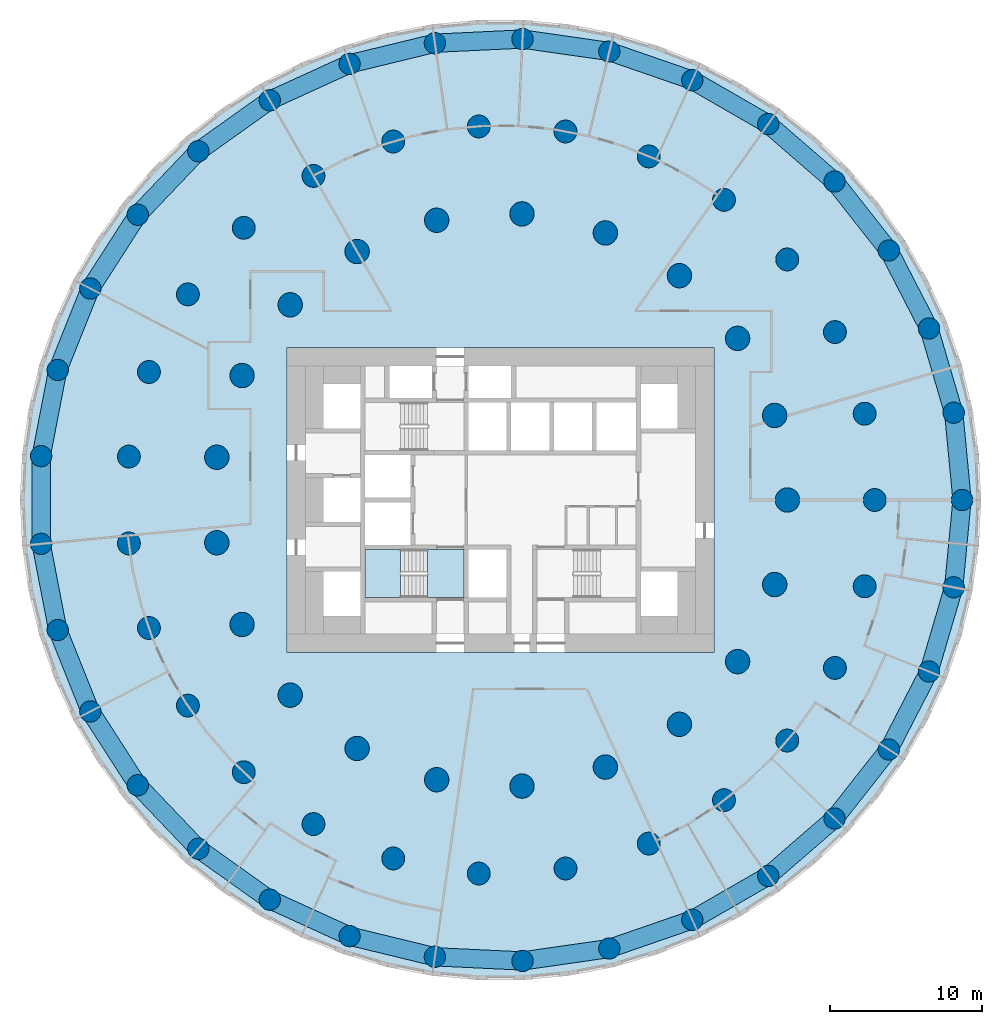
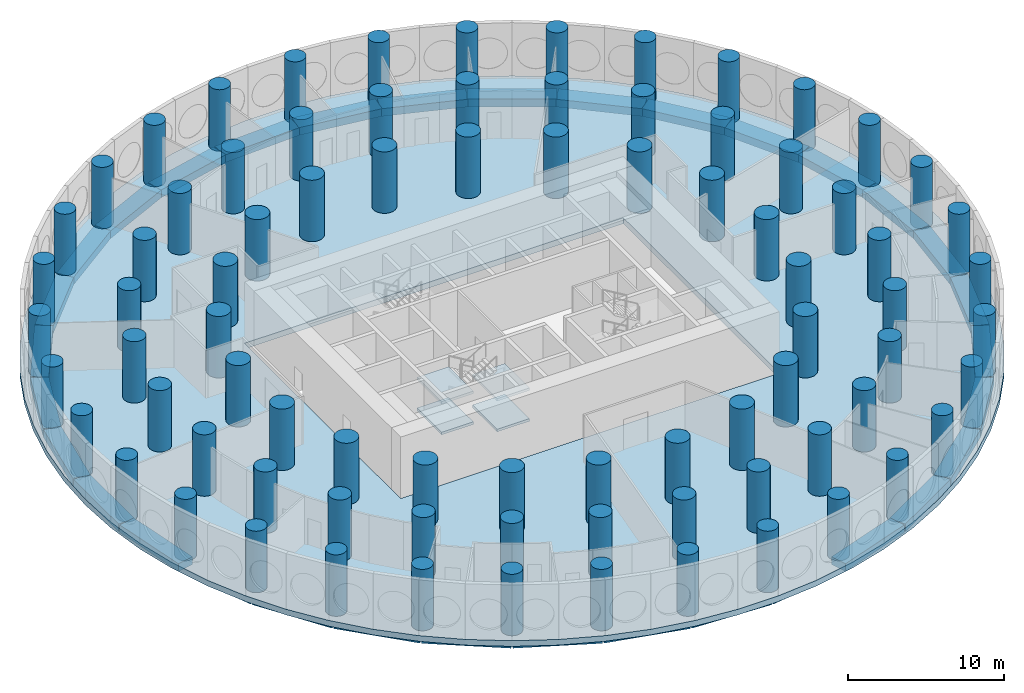
# One storey, part 1 of 11: 81 columns, 33 beams, 5 slabs, 1 element without a shape of its own.
"""IFC4 building model written with IfcOpenShell, lengths in metres."""

from ifc_helpers import new_model, si_unit, direction, frame, origin, origin_2d, place, context, subcontext, project, spatial, polyline, rectangle, circle, outline, extrude, material, layer, layer_set, material_profile, profile_set, type_object, element, aggregate, save


model = new_model("IFC4")

# Units and contexts
model_context = context("Model", 3, precision=1e-05, world=origin(), true_north=direction((0.0, 1.0)))
body_context = subcontext(model_context, "Body", "Model", "MODEL_VIEW")
ifc_project = project(units=[si_unit("LENGTHUNIT", "METRE"), si_unit("AREAUNIT", "SQUARE_METRE"), si_unit("VOLUMEUNIT", "CUBIC_METRE"), si_unit("PLANEANGLEUNIT", "RADIAN"), si_unit("MASSUNIT", "GRAM", prefix="KILO")], contexts=[model_context])

# Site, building, storey
site_placement = place(None, origin())
site = spatial("IfcSite", under=ifc_project, at=site_placement, CompositionType="ELEMENT")
building_placement = place(site_placement, origin())
building = spatial("IfcBuilding", under=site, at=building_placement, Name="Tracery Tower", CompositionType="ELEMENT")
storey_placement = place(building_placement, frame((0.0, 0.0, 18.60009765625)))
storey = spatial("IfcBuildingStorey", under=building, at=storey_placement, Name="L03", CompositionType="ELEMENT", Elevation=18.60009765625)

# Columns
ifc_material_1 = material(Name="Concrete C60/75", Category="concrete")
ifc_material_profile_1 = material_profile(ifc_material_1, circle(Radius=0.699951171875, at=origin_2d()), Name="RC D1400")
ifc_profile_set_1 = profile_set([ifc_material_profile_1], Name="Concrete C60/75")
column_type_1 = type_object("IfcColumnType", Name="Ring 0 column 1400", PredefinedType="COLUMN", material=ifc_profile_set_1)
for number, where, z_axis, x_axis, name in (
    (1, (30.274658203125, 0.0, 0.0), (0.0, 0.0, 1.0), (1.0, 0.0, 0.0), "Ring 0 column 00 at L03"),
    (2, (29.7275390625, 5.7294921875, 0.0), (0.0, 0.0, 1.0), (1.0, 0.0, 0.0), "Ring 0 column 01 at L03"),
    (3, (28.10595703125, 11.251953125, 0.0), (0.0, 0.0, 1.0), (1.0, 0.0, 0.0), "Ring 0 column 02 at L03"),
    (4, (25.468505859375, 16.36767578125, 0.0), (0.0, 0.0, 1.0), (1.0, 0.0, 0.0), "Ring 0 column 03 at L03"),
    (5, (21.910888671875, 20.891845703125, 0.0), (0.0, 0.0, 1.0), (1.0, 0.0, 0.0), "Ring 0 column 04 at L03"),
    (6, (17.56103515625, 24.660888671875, 0.0), (0.0, 0.0, 1.0), (1.0, 0.0, 0.0), "Ring 0 column 05 at L03"),
    (7, (12.576416015625, 27.538818359375, 0.0), (0.0, 0.0, 1.0), (1.0, 0.0, 0.0), "Ring 0 column 06 at L03"),
    (8, (7.137451171875, 29.421142578125, 0.0), (0.0, 0.0, 1.0), (1.0, 0.0, 0.0), "Ring 0 column 07 at L03"),
    (9, (1.4404296875, 30.240234375, 0.0), (0.0, 0.0, 1.0), (1.0, 0.0, 0.0), "Ring 0 column 08 at L03"),
    (10, (-4.30859375, 29.96630859375, 0.0), (0.0, 0.0, 1.0), (1.0, 0.0, 0.0), "Ring 0 column 09 at L03"),
    (11, (-9.90185546875, 28.609619140625, 0.0), (0.0, 0.0, 1.0), (1.0, 0.0, 0.0), "Ring 0 column 10 at L03"),
    (12, (-15.13720703125, 26.218505859375, 0.0), (0.0, 0.0, 1.0), (1.0, 0.0, 0.0), "Ring 0 column 11 at L03"),
    (13, (-19.82568359375, 22.8798828125, 0.0), (0.0, 0.0, 1.0), (1.0, 0.0, 0.0), "Ring 0 column 12 at L03"),
    (14, (-23.79736328125, 18.714599609375, 0.0), (0.0, 0.0, 1.0), (1.0, 0.0, 0.0), "Ring 0 column 13 at L03"),
    (15, (-26.9091796875, 13.87255859375, 0.0), (0.0, 0.0, 1.0), (1.0, 0.0, 0.0), "Ring 0 column 14 at L03"),
    (16, (-29.04833984375, 8.529296875, 0.0), (0.0, 0.0, 1.0), (1.0, 0.0, 0.0), "Ring 0 column 15 at L03"),
    (17, (-30.137451171875, 2.877685546875, 0.0), (0.0, 0.0, 1.0), (1.0, 0.0, 0.0), "Ring 0 column 16 at L03"),
    (18, (-30.137451171875, -2.877685546875, 0.0), (0.0, 0.0, 1.0), (1.0, 0.0, 0.0), "Ring 0 column 17 at L03"),
    (19, (-29.04833984375, -8.529296875, 0.0), (0.0, 0.0, 1.0), (1.0, 0.0, 0.0), "Ring 0 column 18 at L03"),
    (20, (-26.9091796875, -13.87255859375, 0.0), (0.0, 0.0, 1.0), (1.0, 0.0, 0.0), "Ring 0 column 19 at L03"),
    (21, (-23.79736328125, -18.714599609375, 0.0), (0.0, 0.0, 1.0), (1.0, 0.0, 0.0), "Ring 0 column 20 at L03"),
    (22, (-19.82568359375, -22.8798828125, 0.0), (0.0, 0.0, 1.0), (1.0, 0.0, 0.0), "Ring 0 column 21 at L03"),
    (23, (-15.13720703125, -26.218505859375, 0.0), (0.0, 0.0, 1.0), (1.0, 0.0, 0.0), "Ring 0 column 22 at L03"),
    (24, (-9.90185546875, -28.609619140625, 0.0), (0.0, 0.0, 1.0), (1.0, 0.0, 0.0), "Ring 0 column 23 at L03"),
    (25, (-4.30859375, -29.96630859375, 0.0), (0.0, 0.0, 1.0), (1.0, 0.0, 0.0), "Ring 0 column 24 at L03"),
    (26, (1.4404296875, -30.240234375, 0.0), (0.0, 0.0, 1.0), (1.0, 0.0, 0.0), "Ring 0 column 25 at L03"),
    (27, (7.137451171875, -29.421142578125, 0.0), (0.0, 0.0, 1.0), (1.0, 0.0, 0.0), "Ring 0 column 26 at L03"),
    (28, (12.576416015625, -27.538818359375, 0.0), (0.0, 0.0, 1.0), (1.0, 0.0, 0.0), "Ring 0 column 27 at L03"),
    (29, (17.56103515625, -24.660888671875, 0.0), (0.0, 0.0, 1.0), (1.0, 0.0, 0.0), "Ring 0 column 28 at L03"),
    (30, (21.910888671875, -20.891845703125, 0.0), (0.0, 0.0, 1.0), (1.0, 0.0, 0.0), "Ring 0 column 29 at L03"),
    (31, (25.468505859375, -16.36767578125, 0.0), (0.0, 0.0, 1.0), (1.0, 0.0, 0.0), "Ring 0 column 30 at L03"),
    (32, (28.10595703125, -11.251953125, 0.0), (0.0, 0.0, 1.0), (1.0, 0.0, 0.0), "Ring 0 column 31 at L03"),
    (33, (29.7275390625, -5.7294921875, 0.0), (0.0, 0.0, 1.0), (1.0, 0.0, 0.0), "Ring 0 column 32 at L03"),
):
    element("IfcColumn", number, at=place(storey_placement, frame(where, z_axis=z_axis, x_axis=x_axis)), inside=storey, type_object=column_type_1, Name=name, PredefinedType="COLUMN", context=body_context, shape_type="SweptSolid", body=[
        extrude(circle(Radius=0.699951171875, at=origin_2d()), origin(), (0.0, 0.0, 1.0), 4.7998046875),
    ])
ifc_material_2 = material(Name="Concrete C60/75", Category="concrete")
ifc_material_profile_2 = material_profile(ifc_material_2, circle(Radius=0.75, at=origin_2d()), Name="RC D1500")
ifc_profile_set_2 = profile_set([ifc_material_profile_2], Name="Concrete C60/75")
column_type_2 = type_object("IfcColumnType", Name="Ring 1 column 1500", PredefinedType="COLUMN", material=ifc_profile_set_2)
for number, where, z_axis, x_axis, name in (
    (34, (24.547607421875, 0.0, 0.0), (0.0, 0.0, 1.0), (1.0, 0.0, 0.0), "Ring 1 column 00 at L03"),
    (35, (23.885986328125, 5.6611328125, 0.0), (0.0, 0.0, 1.0), (1.0, 0.0, 0.0), "Ring 1 column 01 at L03"),
    (36, (21.9365234375, 11.01708984375, 0.0), (0.0, 0.0, 1.0), (1.0, 0.0, 0.0), "Ring 1 column 02 at L03"),
    (37, (18.8046875, 15.779052734375, 0.0), (0.0, 0.0, 1.0), (1.0, 0.0, 0.0), "Ring 1 column 03 at L03"),
    (38, (14.658935546875, 19.690185546875, 0.0), (0.0, 0.0, 1.0), (1.0, 0.0, 0.0), "Ring 1 column 04 at L03"),
    (39, (9.722900390625, 22.5400390625, 0.0), (0.0, 0.0, 1.0), (1.0, 0.0, 0.0), "Ring 1 column 05 at L03"),
    (40, (4.2626953125, 24.1748046875, 0.0), (0.0, 0.0, 1.0), (1.0, 0.0, 0.0), "Ring 1 column 06 at L03"),
    (41, (-1.42724609375, 24.506103515625, 0.0), (0.0, 0.0, 1.0), (1.0, 0.0, 0.0), "Ring 1 column 07 at L03"),
    (42, (-7.040283203125, 23.516357421875, 0.0), (0.0, 0.0, 1.0), (1.0, 0.0, 0.0), "Ring 1 column 08 at L03"),
    (43, (-12.273681640625, 21.2587890625, 0.0), (0.0, 0.0, 1.0), (1.0, 0.0, 0.0), "Ring 1 column 09 at L03"),
    (44, (-16.845703125, 17.855224609375, 0.0), (0.0, 0.0, 1.0), (1.0, 0.0, 0.0), "Ring 1 column 10 at L03"),
    (45, (-20.50927734375, 13.4892578125, 0.0), (0.0, 0.0, 1.0), (1.0, 0.0, 0.0), "Ring 1 column 11 at L03"),
    (46, (-23.0673828125, 8.395751953125, 0.0), (0.0, 0.0, 1.0), (1.0, 0.0, 0.0), "Ring 1 column 12 at L03"),
    (47, (-24.381591796875, 2.849853515625, 0.0), (0.0, 0.0, 1.0), (1.0, 0.0, 0.0), "Ring 1 column 13 at L03"),
    (48, (-24.381591796875, -2.849853515625, 0.0), (0.0, 0.0, 1.0), (1.0, 0.0, 0.0), "Ring 1 column 14 at L03"),
    (49, (-23.0673828125, -8.395751953125, 0.0), (0.0, 0.0, 1.0), (1.0, 0.0, 0.0), "Ring 1 column 15 at L03"),
    (50, (-20.50927734375, -13.4892578125, 0.0), (0.0, 0.0, 1.0), (1.0, 0.0, 0.0), "Ring 1 column 16 at L03"),
    (51, (-16.845703125, -17.85546875, 0.0), (0.0, 0.0, 1.0), (1.0, 0.0, 0.0), "Ring 1 column 17 at L03"),
    (52, (-12.27392578125, -21.2587890625, 0.0), (0.0, 0.0, 1.0), (1.0, 0.0, 0.0), "Ring 1 column 18 at L03"),
    (53, (-7.040283203125, -23.516357421875, 0.0), (0.0, 0.0, 1.0), (1.0, 0.0, 0.0), "Ring 1 column 19 at L03"),
    (54, (-1.42724609375, -24.506103515625, 0.0), (0.0, 0.0, 1.0), (1.0, 0.0, 0.0), "Ring 1 column 20 at L03"),
    (55, (4.2626953125, -24.1748046875, 0.0), (0.0, 0.0, 1.0), (1.0, 0.0, 0.0), "Ring 1 column 21 at L03"),
    (56, (9.722900390625, -22.5400390625, 0.0), (0.0, 0.0, 1.0), (1.0, 0.0, 0.0), "Ring 1 column 22 at L03"),
    (57, (14.658935546875, -19.690185546875, 0.0), (0.0, 0.0, 1.0), (1.0, 0.0, 0.0), "Ring 1 column 23 at L03"),
    (58, (18.8046875, -15.779052734375, 0.0), (0.0, 0.0, 1.0), (1.0, 0.0, 0.0), "Ring 1 column 24 at L03"),
    (59, (21.9365234375, -11.01708984375, 0.0), (0.0, 0.0, 1.0), (1.0, 0.0, 0.0), "Ring 1 column 25 at L03"),
    (60, (23.885986328125, -5.6611328125, 0.0), (0.0, 0.0, 1.0), (1.0, 0.0, 0.0), "Ring 1 column 26 at L03"),
):
    element("IfcColumn", number, at=place(storey_placement, frame(where, z_axis=z_axis, x_axis=x_axis)), inside=storey, type_object=column_type_2, Name=name, PredefinedType="COLUMN", context=body_context, shape_type="SweptSolid", body=[
        extrude(circle(Radius=0.75, at=origin_2d()), origin(), (0.0, 0.0, 1.0), 4.7998046875),
    ])
ifc_material_3 = material(Name="Concrete C60/75", Category="concrete")
ifc_material_profile_3 = material_profile(ifc_material_3, circle(Radius=0.800048828125, at=origin_2d()), Name="RC D1600")
ifc_profile_set_3 = profile_set([ifc_material_profile_3], Name="Concrete C60/75")
column_type_3 = type_object("IfcColumnType", Name="Ring 2 column 1600", PredefinedType="COLUMN", material=ifc_profile_set_3)
for number, where, z_axis, x_axis, name in (
    (61, (18.822265625, 0.0, 0.0), (0.0, 0.0, 1.0), (1.0, 0.0, 0.0), "Ring 2 column 00 at L03"),
    (62, (17.986083984375, 5.5478515625, 0.0), (0.0, 0.0, 1.0), (1.0, 0.0, 0.0), "Ring 2 column 01 at L03"),
    (63, (15.551513671875, 10.602783203125, 0.0), (0.0, 0.0, 1.0), (1.0, 0.0, 0.0), "Ring 2 column 02 at L03"),
    (64, (11.7353515625, 14.7158203125, 0.0), (0.0, 0.0, 1.0), (1.0, 0.0, 0.0), "Ring 2 column 03 at L03"),
    (65, (6.87646484375, 17.52099609375, 0.0), (0.0, 0.0, 1.0), (1.0, 0.0, 0.0), "Ring 2 column 04 at L03"),
    (66, (1.406494140625, 18.76953125, 0.0), (0.0, 0.0, 1.0), (1.0, 0.0, 0.0), "Ring 2 column 05 at L03"),
    (67, (-4.188232421875, 18.350341796875, 0.0), (0.0, 0.0, 1.0), (1.0, 0.0, 0.0), "Ring 2 column 06 at L03"),
    (68, (-9.4111328125, 16.300537109375, 0.0), (0.0, 0.0, 1.0), (1.0, 0.0, 0.0), "Ring 2 column 07 at L03"),
    (69, (-13.797607421875, 12.802490234375, 0.0), (0.0, 0.0, 1.0), (1.0, 0.0, 0.0), "Ring 2 column 08 at L03"),
    (70, (-16.958251953125, 8.16650390625, 0.0), (0.0, 0.0, 1.0), (1.0, 0.0, 0.0), "Ring 2 column 09 at L03"),
    (71, (-18.612060546875, 2.805419921875, 0.0), (0.0, 0.0, 1.0), (1.0, 0.0, 0.0), "Ring 2 column 10 at L03"),
    (72, (-18.612060546875, -2.805419921875, 0.0), (0.0, 0.0, 1.0), (1.0, 0.0, 0.0), "Ring 2 column 11 at L03"),
    (73, (-16.958251953125, -8.166748046875, 0.0), (0.0, 0.0, 1.0), (1.0, 0.0, 0.0), "Ring 2 column 12 at L03"),
    (74, (-13.797607421875, -12.80224609375, 0.0), (0.0, 0.0, 1.0), (1.0, 0.0, 0.0), "Ring 2 column 13 at L03"),
    (75, (-9.4111328125, -16.300537109375, 0.0), (0.0, 0.0, 1.0), (1.0, 0.0, 0.0), "Ring 2 column 14 at L03"),
    (76, (-4.188232421875, -18.350341796875, 0.0), (0.0, 0.0, 1.0), (1.0, 0.0, 0.0), "Ring 2 column 15 at L03"),
    (77, (1.406494140625, -18.76953125, 0.0), (0.0, 0.0, 1.0), (1.0, 0.0, 0.0), "Ring 2 column 16 at L03"),
    (78, (6.87646484375, -17.52099609375, 0.0), (0.0, 0.0, 1.0), (1.0, 0.0, 0.0), "Ring 2 column 17 at L03"),
    (79, (11.7353515625, -14.7158203125, 0.0), (0.0, 0.0, 1.0), (1.0, 0.0, 0.0), "Ring 2 column 18 at L03"),
    (80, (15.551513671875, -10.602783203125, 0.0), (0.0, 0.0, 1.0), (1.0, 0.0, 0.0), "Ring 2 column 19 at L03"),
    (81, (17.986083984375, -5.5478515625, 0.0), (0.0, 0.0, 1.0), (1.0, 0.0, 0.0), "Ring 2 column 20 at L03"),
):
    element("IfcColumn", number, at=place(storey_placement, frame(where, z_axis=z_axis, x_axis=x_axis)), inside=storey, type_object=column_type_3, Name=name, PredefinedType="COLUMN", context=body_context, shape_type="SweptSolid", body=[
        extrude(circle(Radius=0.800048828125, at=origin_2d()), origin(), (0.0, 0.0, 1.0), 4.7998046875),
    ])

# Beams
ifc_material_4 = material(Name="Concrete C60/75", Category="concrete")
ifc_material_profile_4 = material_profile(ifc_material_4, rectangle(XDim=1.199951171875, YDim=0.60009765625, at=origin_2d()), Name="RC 1200x600")
ifc_profile_set_4 = profile_set([ifc_material_profile_4], Name="Concrete C60/75")
beam_type = type_object("IfcBeamType", Name="Perimeter band beam 1200x600", PredefinedType="BEAM", material=ifc_profile_set_4)
for number, where, z_axis, x_axis, name in (
    (82, (30.274658203125, 0.0, -0.75), (-0.095059309677, 0.995471610667, 0.0), (-0.995471610667, -0.095059309677, 0.0), "Perimeter beam 0.00 under L03"),
    (83, (29.7275390625, 5.7294921875, -0.75), (-0.281739145896, 0.959491038869, 0.0), (-0.959491038869, -0.281739145896, 0.0), "Perimeter beam 0.01 under L03"),
    (84, (28.10595703125, 11.251953125, -0.75), (-0.458242010493, 0.88882746347, 0.0), (-0.88882746347, -0.458242010493, 0.0), "Perimeter beam 0.02 under L03"),
):
    element("IfcBeam", number, at=place(storey_placement, frame(where, z_axis=z_axis, x_axis=x_axis)), inside=storey, type_object=beam_type, Name=name, PredefinedType="BEAM", context=body_context, shape_type="SweptSolid", body=[
        extrude(rectangle(XDim=1.199951171875, YDim=0.60009765625, at=origin_2d()), origin(), (0.0, 0.0, 1.0), 5.755615234375),
    ])
beam_1_placement = place(storey_placement, frame((25.468505859375, 16.36767578125, -0.75), z_axis=(-0.618134362257, 0.786072458618, 0.0), x_axis=(-0.786072458618, -0.618134362257, 0.0)))
element("IfcBeam", 85, at=beam_1_placement, inside=storey, type_object=beam_type, Name="Perimeter beam 0.03 under L03", PredefinedType="BEAM", context=body_context, shape_type="SweptSolid", body=[
    extrude(rectangle(XDim=1.199951171875, YDim=0.60009765625, at=origin_2d()), origin(), (0.0, 0.0, 1.0), 5.75537109375),
])
beam_2_placement = place(storey_placement, frame((21.910888671875, 20.891845703125, -0.75), z_axis=(-0.755760456715, 0.65484817482, 0.0), x_axis=(-0.65484817482, -0.755760456715, 0.0)))
element("IfcBeam", 86, at=beam_2_placement, inside=storey, type_object=beam_type, Name="Perimeter beam 0.04 under L03", PredefinedType="BEAM", context=body_context, shape_type="SweptSolid", body=[
    extrude(rectangle(XDim=1.199951171875, YDim=0.60009765625, at=origin_2d()), origin(), (0.0, 0.0, 1.0), 5.755615234375),
])
beam_3_placement = place(storey_placement, frame((17.56103515625, 24.660888671875, -0.75), z_axis=(-0.866021003874, 0.50000762079, 0.0), x_axis=(-0.50000762079, -0.866021003874, 0.0)))
element("IfcBeam", 87, at=beam_3_placement, inside=storey, type_object=beam_type, Name="Perimeter beam 0.05 under L03", PredefinedType="BEAM", context=body_context, shape_type="SweptSolid", body=[
    extrude(rectangle(XDim=1.199951171875, YDim=0.60009765625, at=origin_2d()), origin(), (0.0, 0.0, 1.0), 5.755859375),
])
beam_4_placement = place(storey_placement, frame((12.576416015625, 27.538818359375, -0.75), z_axis=(-0.945007252869, 0.327049372458, 0.0), x_axis=(-0.327049372458, -0.945007252869, 0.0)))
element("IfcBeam", 88, at=beam_4_placement, inside=storey, type_object=beam_type, Name="Perimeter beam 0.06 under L03", PredefinedType="BEAM", context=body_context, shape_type="SweptSolid", body=[
    extrude(rectangle(XDim=1.199951171875, YDim=0.60009765625, at=origin_2d()), origin(), (0.0, 0.0, 1.0), 5.75537109375),
])
for number, where, z_axis, x_axis, name in (
    (89, (7.137451171875, 29.421142578125, -0.75), (-0.989821839174, 0.142312075013, 0.0), (-0.142312075013, -0.989821839174, 0.0), "Perimeter beam 0.07 under L03"),
    (90, (1.4404296875, 30.240234375, -0.75), (-0.998866793759, -0.047593364303, 0.0), (0.047593364303, -0.998866793759, 0.0), "Perimeter beam 0.08 under L03"),
):
    element("IfcBeam", number, at=place(storey_placement, frame(where, z_axis=z_axis, x_axis=x_axis)), inside=storey, type_object=beam_type, Name=name, PredefinedType="BEAM", context=body_context, shape_type="SweptSolid", body=[
        extrude(rectangle(XDim=1.199951171875, YDim=0.60009765625, at=origin_2d()), origin(), (0.0, 0.0, 1.0), 5.755615234375),
    ])
beam_5_placement = place(storey_placement, frame((-4.30859375, 29.96630859375, -0.75), z_axis=(-0.971820371509, -0.235722645328, 0.0), x_axis=(0.235722645328, -0.971820371509, 0.0)))
element("IfcBeam", 91, at=beam_5_placement, inside=storey, type_object=beam_type, Name="Perimeter beam 0.09 under L03", PredefinedType="BEAM", context=body_context, shape_type="SweptSolid", body=[
    extrude(rectangle(XDim=1.199951171875, YDim=0.60009765625, at=origin_2d()), origin(), (0.0, 0.0, 1.0), 5.75537109375),
])
for number, where, z_axis, x_axis, name in (
    (92, (-9.90185546875, 28.609619140625, -0.75), (-0.909618316865, -0.415444963411, 0.0), (0.415444963411, -0.909618316865, 0.0), "Perimeter beam 0.10 under L03"),
    (93, (-15.13720703125, 26.218505859375, -0.75), (-0.8145780864, -0.580053912285, 0.0), (0.580053912285, -0.8145780864, 0.0), "Perimeter beam 0.11 under L03"),
):
    element("IfcBeam", number, at=place(storey_placement, frame(where, z_axis=z_axis, x_axis=x_axis)), inside=storey, type_object=beam_type, Name=name, PredefinedType="BEAM", context=body_context, shape_type="SweptSolid", body=[
        extrude(rectangle(XDim=1.199951171875, YDim=0.60009765625, at=origin_2d()), origin(), (0.0, 0.0, 1.0), 5.755615234375),
    ])
beam_6_placement = place(storey_placement, frame((-19.82568359375, 22.8798828125, -0.75), z_axis=(-0.690087218267, -0.723726212863, 0.0), x_axis=(0.723726212863, -0.690087218267, 0.0)))
element("IfcBeam", 94, at=beam_6_placement, inside=storey, type_object=beam_type, Name="Perimeter beam 0.12 under L03", PredefinedType="BEAM", context=body_context, shape_type="SweptSolid", body=[
    extrude(rectangle(XDim=1.199951171875, YDim=0.60009765625, at=origin_2d()), origin(), (0.0, 0.0, 1.0), 5.75537109375),
])
beam_7_placement = place(storey_placement, frame((-23.79736328125, 18.714599609375, -0.75), z_axis=(-0.540643964602, -0.841251510274, 0.0), x_axis=(0.841251510274, -0.540643964602, 0.0)))
element("IfcBeam", 95, at=beam_7_placement, inside=storey, type_object=beam_type, Name="Perimeter beam 0.13 under L03", PredefinedType="BEAM", context=body_context, shape_type="SweptSolid", body=[
    extrude(rectangle(XDim=1.199951171875, YDim=0.60009765625, at=origin_2d()), origin(), (0.0, 0.0, 1.0), 5.755859375),
])
for number, where, z_axis, x_axis, name in (
    (96, (-26.9091796875, 13.87255859375, -0.75), (-0.371668572289, -0.928365484264, 0.0), (0.928365484264, -0.371668572289, 0.0), "Perimeter beam 0.14 under L03"),
    (97, (-29.04833984375, 8.529296875, -0.75), (-0.189226539295, -0.981933458451, 0.0), (0.981933458451, -0.189226539295, 0.0), "Perimeter beam 0.15 under L03"),
):
    element("IfcBeam", number, at=place(storey_placement, frame(where, z_axis=z_axis, x_axis=x_axis)), inside=storey, type_object=beam_type, Name=name, PredefinedType="BEAM", context=body_context, shape_type="SweptSolid", body=[
        extrude(rectangle(XDim=1.199951171875, YDim=0.60009765625, at=origin_2d()), origin(), (0.0, 0.0, 1.0), 5.755615234375),
    ])
beam_8_placement = place(storey_placement, frame((-30.137451171875, 2.877685546875, -0.75), z_axis=(0.0, -1.0, 0.0), x_axis=(1.0, 0.0, 0.0)))
element("IfcBeam", 98, at=beam_8_placement, inside=storey, type_object=beam_type, Name="Perimeter beam 0.16 under L03", PredefinedType="BEAM", context=body_context, shape_type="SweptSolid", body=[
    extrude(rectangle(XDim=1.199951171875, YDim=0.60009765625, at=origin_2d()), origin(), (0.0, 0.0, 1.0), 5.75537109375),
])
for number, where, z_axis, x_axis, name in (
    (99, (-30.137451171875, -2.877685546875, -0.75), (0.189226539295, -0.981933458451, 0.0), (0.981933458451, 0.189226539295, 0.0), "Perimeter beam 0.17 under L03"),
    (100, (-29.04833984375, -8.529296875, -0.75), (0.371668572289, -0.928365484264, 0.0), (0.928365484264, 0.371668572289, 0.0), "Perimeter beam 0.18 under L03"),
):
    element("IfcBeam", number, at=place(storey_placement, frame(where, z_axis=z_axis, x_axis=x_axis)), inside=storey, type_object=beam_type, Name=name, PredefinedType="BEAM", context=body_context, shape_type="SweptSolid", body=[
        extrude(rectangle(XDim=1.199951171875, YDim=0.60009765625, at=origin_2d()), origin(), (0.0, 0.0, 1.0), 5.755615234375),
    ])
beam_9_placement = place(storey_placement, frame((-26.9091796875, -13.87255859375, -0.75), z_axis=(0.540643964602, -0.841251510274, 0.0), x_axis=(0.841251510274, 0.540643964602, 0.0)))
element("IfcBeam", 101, at=beam_9_placement, inside=storey, type_object=beam_type, Name="Perimeter beam 0.19 under L03", PredefinedType="BEAM", context=body_context, shape_type="SweptSolid", body=[
    extrude(rectangle(XDim=1.199951171875, YDim=0.60009765625, at=origin_2d()), origin(), (0.0, 0.0, 1.0), 5.755859375),
])
beam_10_placement = place(storey_placement, frame((-23.79736328125, -18.714599609375, -0.75), z_axis=(0.690087218267, -0.723726212863, 0.0), x_axis=(0.723726212863, 0.690087218267, 0.0)))
element("IfcBeam", 102, at=beam_10_placement, inside=storey, type_object=beam_type, Name="Perimeter beam 0.20 under L03", PredefinedType="BEAM", context=body_context, shape_type="SweptSolid", body=[
    extrude(rectangle(XDim=1.199951171875, YDim=0.60009765625, at=origin_2d()), origin(), (0.0, 0.0, 1.0), 5.75537109375),
])
for number, where, z_axis, x_axis, name in (
    (103, (-19.82568359375, -22.8798828125, -0.75), (0.8145780864, -0.580053912285, 0.0), (0.580053912285, 0.8145780864, 0.0), "Perimeter beam 0.21 under L03"),
    (104, (-15.13720703125, -26.218505859375, -0.75), (0.909618316865, -0.415444963411, 0.0), (0.415444963411, 0.909618316865, 0.0), "Perimeter beam 0.22 under L03"),
):
    element("IfcBeam", number, at=place(storey_placement, frame(where, z_axis=z_axis, x_axis=x_axis)), inside=storey, type_object=beam_type, Name=name, PredefinedType="BEAM", context=body_context, shape_type="SweptSolid", body=[
        extrude(rectangle(XDim=1.199951171875, YDim=0.60009765625, at=origin_2d()), origin(), (0.0, 0.0, 1.0), 5.755615234375),
    ])
beam_11_placement = place(storey_placement, frame((-9.90185546875, -28.609619140625, -0.75), z_axis=(0.971820371509, -0.235722645328, 0.0), x_axis=(0.235722645328, 0.971820371509, 0.0)))
element("IfcBeam", 105, at=beam_11_placement, inside=storey, type_object=beam_type, Name="Perimeter beam 0.23 under L03", PredefinedType="BEAM", context=body_context, shape_type="SweptSolid", body=[
    extrude(rectangle(XDim=1.199951171875, YDim=0.60009765625, at=origin_2d()), origin(), (0.0, 0.0, 1.0), 5.75537109375),
])
for number, where, z_axis, x_axis, name in (
    (106, (-4.30859375, -29.96630859375, -0.75), (0.998866793759, -0.047593364303, 0.0), (0.047593364303, 0.998866793759, 0.0), "Perimeter beam 0.24 under L03"),
    (107, (1.4404296875, -30.240234375, -0.75), (0.989821839174, 0.142312075013, 0.0), (-0.142312075013, 0.989821839174, 0.0), "Perimeter beam 0.25 under L03"),
):
    element("IfcBeam", number, at=place(storey_placement, frame(where, z_axis=z_axis, x_axis=x_axis)), inside=storey, type_object=beam_type, Name=name, PredefinedType="BEAM", context=body_context, shape_type="SweptSolid", body=[
        extrude(rectangle(XDim=1.199951171875, YDim=0.60009765625, at=origin_2d()), origin(), (0.0, 0.0, 1.0), 5.755615234375),
    ])
beam_12_placement = place(storey_placement, frame((7.137451171875, -29.421142578125, -0.75), z_axis=(0.945007252869, 0.327049372458, 0.0), x_axis=(-0.327049372458, 0.945007252869, 0.0)))
element("IfcBeam", 108, at=beam_12_placement, inside=storey, type_object=beam_type, Name="Perimeter beam 0.26 under L03", PredefinedType="BEAM", context=body_context, shape_type="SweptSolid", body=[
    extrude(rectangle(XDim=1.199951171875, YDim=0.60009765625, at=origin_2d()), origin(), (0.0, 0.0, 1.0), 5.75537109375),
])
beam_13_placement = place(storey_placement, frame((12.576416015625, -27.538818359375, -0.75), z_axis=(0.866021003874, 0.50000762079, 0.0), x_axis=(-0.50000762079, 0.866021003874, 0.0)))
element("IfcBeam", 109, at=beam_13_placement, inside=storey, type_object=beam_type, Name="Perimeter beam 0.27 under L03", PredefinedType="BEAM", context=body_context, shape_type="SweptSolid", body=[
    extrude(rectangle(XDim=1.199951171875, YDim=0.60009765625, at=origin_2d()), origin(), (0.0, 0.0, 1.0), 5.755859375),
])
beam_14_placement = place(storey_placement, frame((17.56103515625, -24.660888671875, -0.75), z_axis=(0.755760456715, 0.65484817482, 0.0), x_axis=(-0.65484817482, 0.755760456715, 0.0)))
element("IfcBeam", 110, at=beam_14_placement, inside=storey, type_object=beam_type, Name="Perimeter beam 0.28 under L03", PredefinedType="BEAM", context=body_context, shape_type="SweptSolid", body=[
    extrude(rectangle(XDim=1.199951171875, YDim=0.60009765625, at=origin_2d()), origin(), (0.0, 0.0, 1.0), 5.755615234375),
])
beam_15_placement = place(storey_placement, frame((21.910888671875, -20.891845703125, -0.75), z_axis=(0.618134362257, 0.786072458618, 0.0), x_axis=(-0.786072458618, 0.618134362257, 0.0)))
element("IfcBeam", 111, at=beam_15_placement, inside=storey, type_object=beam_type, Name="Perimeter beam 0.29 under L03", PredefinedType="BEAM", context=body_context, shape_type="SweptSolid", body=[
    extrude(rectangle(XDim=1.199951171875, YDim=0.60009765625, at=origin_2d()), origin(), (0.0, 0.0, 1.0), 5.75537109375),
])
for number, where, z_axis, x_axis, name in (
    (112, (25.468505859375, -16.36767578125, -0.75), (0.458242010493, 0.88882746347, 0.0), (-0.88882746347, 0.458242010493, 0.0), "Perimeter beam 0.30 under L03"),
    (113, (28.10595703125, -11.251953125, -0.75), (0.281739145896, 0.959491038869, 0.0), (-0.959491038869, 0.281739145896, 0.0), "Perimeter beam 0.31 under L03"),
    (114, (29.7275390625, -5.7294921875, -0.75), (0.095059309677, 0.995471610667, 0.0), (-0.995471610667, 0.095059309677, 0.0), "Perimeter beam 0.32 under L03"),
):
    element("IfcBeam", number, at=place(storey_placement, frame(where, z_axis=z_axis, x_axis=x_axis)), inside=storey, type_object=beam_type, Name=name, PredefinedType="BEAM", context=body_context, shape_type="SweptSolid", body=[
        extrude(rectangle(XDim=1.199951171875, YDim=0.60009765625, at=origin_2d()), origin(), (0.0, 0.0, 1.0), 5.755615234375),
    ])

# Slabs
ifc_material_5 = material(Name="Concrete C50/60", Category="concrete")
ifc_layer_1 = layer(ifc_material_5, 0.449951171875)
ifc_layer_set_1 = layer_set([ifc_layer_1], Name="Floor slab 450")
slab_type_1 = type_object("IfcSlabType", Name="Floor slab 450", PredefinedType="FLOOR", material=ifc_layer_set_1)
slab_1_placement = place(storey_placement, frame((0.0, 0.0, -0.4501953125)))
element("IfcSlab", 115, at=slab_1_placement, inside=storey, type_object=slab_type_1, Name="Floor slab L03", PredefinedType="FLOOR", context=body_context, shape_type="SweptSolid", body=[
    extrude(outline(polyline([(31.524658203125, 0.0), (31.3818359375, 2.99658203125), (30.954833984375, 5.966064453125), (30.24755859375, 8.881591796875), (29.266357421875, 11.716552734375), (28.020263671875, 14.4453125), (26.520263671875, 17.04345703125), (24.780029296875, 19.4873046875), (22.8154296875, 21.75439453125), (20.644287109375, 23.82470703125), (18.2861328125, 25.67919921875), (15.76220703125, 27.301025390625), (13.095703125, 28.67578125), (10.310791015625, 29.790771484375), (7.43212890625, 30.635986328125), (4.486328125, 31.20361328125), (1.5, 31.489013671875), (-1.5, 31.489013671875), (-4.486328125, 31.20361328125), (-7.43212890625, 30.635986328125), (-10.310791015625, 29.790771484375), (-13.095703125, 28.67578125), (-15.76220703125, 27.301025390625), (-18.2861328125, 25.67919921875), (-20.644287109375, 23.82470703125), (-22.8154296875, 21.75439453125), (-24.780029296875, 19.4873046875), (-26.520263671875, 17.04345703125), (-28.020263671875, 14.4453125), (-29.266357421875, 11.716552734375), (-30.24755859375, 8.881591796875), (-30.954833984375, 5.966064453125), (-31.3818359375, 2.99658203125), (-31.524658203125, 0.0), (-31.3818359375, -2.99658203125), (-30.954833984375, -5.966064453125), (-30.24755859375, -8.881591796875), (-29.266357421875, -11.716552734375), (-28.020263671875, -14.4453125), (-26.520263671875, -17.04345703125), (-24.780029296875, -19.4873046875), (-22.8154296875, -21.75439453125), (-20.644287109375, -23.82470703125), (-18.2861328125, -25.67919921875), (-15.76220703125, -27.301025390625), (-13.095703125, -28.67578125), (-10.310791015625, -29.790771484375), (-7.43212890625, -30.635986328125), (-4.486328125, -31.20361328125), (-1.5, -31.489013671875), (1.5, -31.489013671875), (4.486328125, -31.20361328125), (7.43212890625, -30.635986328125), (10.310791015625, -29.790771484375), (13.095703125, -28.67578125), (15.76220703125, -27.301025390625), (18.2861328125, -25.67919921875), (20.644287109375, -23.82470703125), (22.8154296875, -21.75439453125), (24.780029296875, -19.4873046875), (26.520263671875, -17.04345703125), (28.020263671875, -14.4453125), (29.266357421875, -11.716552734375), (30.24755859375, -8.881591796875), (30.954833984375, -5.966064453125), (31.3818359375, -2.99658203125), (31.524658203125, 0.0)]), holes=[polyline([(-14.0, -10.0), (14.0, -10.0), (14.0, 10.0), (-14.0, 10.0), (-14.0, -10.0)])]), origin(), (0.0, 0.0, 1.0), 0.4501953125),
])
ifc_material_6 = material(Name="Concrete C32/40", Category="concrete")
ifc_layer_2 = layer(ifc_material_6, 0.199951171875)
ifc_layer_set_2 = layer_set([ifc_layer_2], Name="Stair landing slab 200")
slab_type_2 = type_object("IfcSlabType", Name="Stair landing slab 200", PredefinedType="LANDING", material=ifc_layer_set_2)
slab_2_placement = place(storey_placement, frame((0.0, 0.0, -0.2001953125)))
element("IfcSlab", 116, at=slab_2_placement, inside=storey, type_object=slab_type_2, Name="L03 stair ST1 floor landing", PredefinedType="LANDING", context=body_context, shape_type="SweptSolid", body=[
    extrude(outline(polyline([(-2.39990234375, -3.25), (-4.800537109375, -3.25), (-4.800537109375, -6.39990234375), (-2.39990234375, -6.39990234375), (-2.39990234375, -3.25)])), origin(), (0.0, 0.0, 1.0), 0.2001953125),
])

# Stair, slabs
ifc_material_7 = material(Name="Concrete C32/40", Category="concrete")
stair_type = type_object("IfcStairType", Name="Core stair 32 risers", PredefinedType="HALF_TURN_STAIR", material=ifc_material_7)
stair_placement = place(storey_placement, origin())
stair = element("IfcStair", 117, at=stair_placement, inside=storey, type_object=stair_type, Name="L03 stair ST1", PredefinedType="HALF_TURN_STAIR")
slab_3_placement = place(storey_placement, frame((0.0, 0.0, 1.0)))
slab_3 = element("IfcSlab", 118, at=slab_3_placement, type_object=slab_type_2, Name="ST1 landing 1", PredefinedType="LANDING", context=body_context, shape_type="SweptSolid", body=[
    extrude(outline(polyline([(-6.54931640625, -3.25), (-8.89990234375, -3.25), (-8.89990234375, -6.39990234375), (-6.54931640625, -6.39990234375), (-6.54931640625, -3.25)])), origin(), (0.0, 0.0, 1.0), 0.199951171875),
])
slab_4_placement = place(storey_placement, frame((0.0, 0.0, 2.199951171875)))
slab_4 = element("IfcSlab", 119, at=slab_4_placement, type_object=slab_type_2, Name="ST1 landing 2", PredefinedType="LANDING", context=body_context, shape_type="SweptSolid", body=[
    extrude(outline(polyline([(-2.39990234375, -3.25), (-4.800537109375, -3.25), (-4.800537109375, -6.39990234375), (-2.39990234375, -6.39990234375), (-2.39990234375, -3.25)])), origin(), (0.0, 0.0, 1.0), 0.199951171875),
])
slab_5_placement = place(storey_placement, frame((0.0, 0.0, 3.39990234375)))
slab_5 = element("IfcSlab", 120, at=slab_5_placement, type_object=slab_type_2, Name="ST1 landing 3", PredefinedType="LANDING", context=body_context, shape_type="SweptSolid", body=[
    extrude(outline(polyline([(-6.54931640625, -3.25), (-8.89990234375, -3.25), (-8.89990234375, -6.39990234375), (-6.54931640625, -6.39990234375), (-6.54931640625, -3.25)])), origin(), (0.0, 0.0, 1.0), 0.199951171875),
])
aggregate(stair, [slab_3, slab_4, slab_5])

save(model, "model.ifc")
